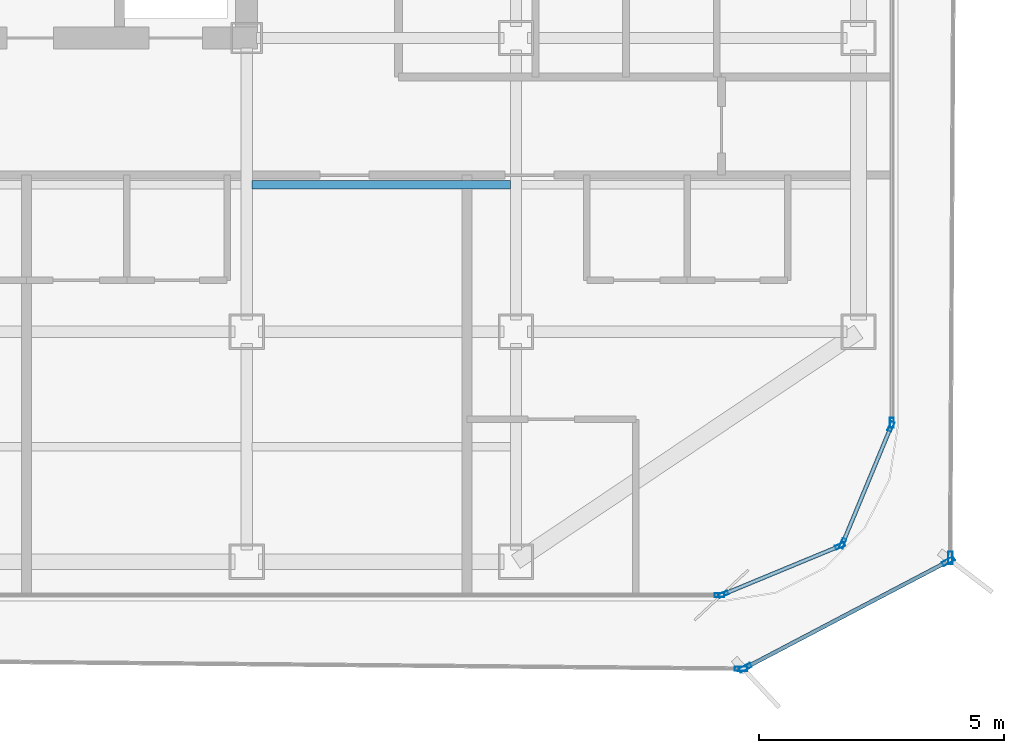
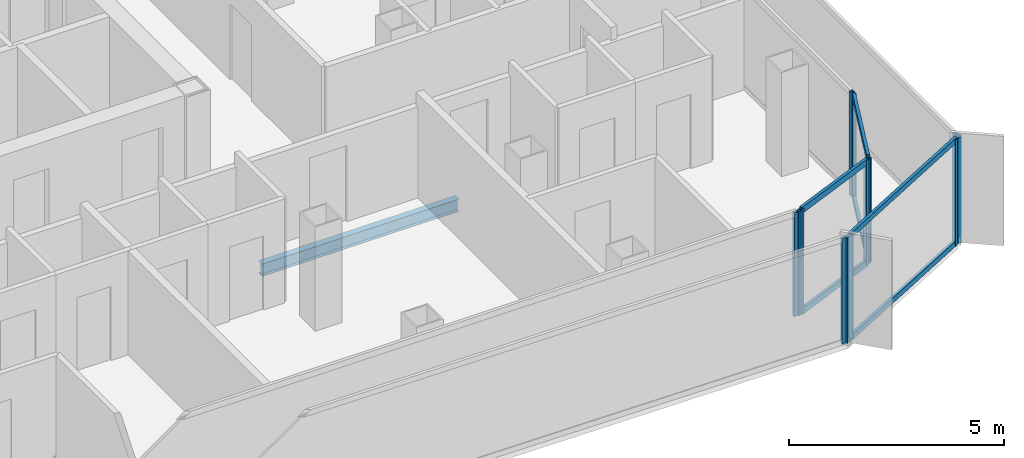
# One storey, part 4 of 16: 16 members, 1 beam, 7 elements without a shape of their own.
"""IFC4 building model written with IfcOpenShell, lengths in metres."""

from ifc_helpers import new_model, si_unit, direction, frame, origin, origin_2d, place, context, subcontext, project, spatial, hollow_rectangle, i_section, extrude, source, transform, mapped, material, layer, layer_set, material_profile, profile_set, type_object, element, aggregate, save


model = new_model("IFC4")

# Units and contexts
model_context = context("Model", 3, precision=1e-05, world=origin(), true_north=direction((0.0, 1.0)))
body_context = subcontext(model_context, "Body", "Model", "MODEL_VIEW")
ifc_project = project(units=[si_unit("LENGTHUNIT", "METRE"), si_unit("AREAUNIT", "SQUARE_METRE"), si_unit("VOLUMEUNIT", "CUBIC_METRE"), si_unit("PLANEANGLEUNIT", "RADIAN"), si_unit("MASSUNIT", "GRAM", prefix="KILO")], contexts=[model_context])

# Site, building, storey
site_placement = place(None, origin())
site = spatial("IfcSite", under=ifc_project, at=site_placement, CompositionType="ELEMENT")
building_placement = place(site_placement, origin())
building = spatial("IfcBuilding", under=site, at=building_placement, Name="Kolveth Station Tower", CompositionType="ELEMENT")
storey_placement = place(building_placement, frame((0.0, 0.0, 178.5)))
storey = spatial("IfcBuildingStorey", under=building, at=storey_placement, Name="L50", CompositionType="ELEMENT", Elevation=178.5)

# Beam
ifc_material_1 = material(Name="Steel S355", Category="steel")
ifc_material_profile_1 = material_profile(ifc_material_1, i_section(OverallWidth=0.1708984375, OverallDepth=0.35205078125, WebThickness=0.0068359375, FlangeThickness=0.009765625, at=origin_2d()), Name="W360x44")
ifc_profile_set_1 = profile_set([ifc_material_profile_1], Name="Steel S355")
beam_type = type_object("IfcBeamType", Name="Beam_J2", PredefinedType="JOIST", material=ifc_profile_set_1)
shared_shape_1 = source(origin(), body_context, "Body", "SweptSolid", [
    extrude(i_section(OverallWidth=0.1708984375, OverallDepth=0.35205078125, WebThickness=0.0068359375, FlangeThickness=0.009765625, at=origin_2d()), origin(), (0.0, 0.0, 1.0), 5.27490234375),
])
beam_placement = place(storey_placement, frame((28.612548828125, 8.5, -0.426025390625), z_axis=(1.0, 0.0, 0.0), x_axis=(0.0, 1.0, 0.0)))
element("IfcBeam", 1, at=beam_placement, inside=storey, type_object=beam_type, Name="L50 Secondary Joist JST-L50-5-2", PredefinedType="JOIST", context=body_context, shape_type="MappedRepresentation", body=[
    mapped(shared_shape_1, transform((0.0, 0.0, 0.0), x_axis=(1.0, 0.0, 0.0), y_axis=(0.0, 1.0, 0.0), z_axis=(0.0, 0.0, 1.0), scale=1.0)),
])

# Curtain wall, members
ifc_material_2 = material(Name="Aluminium 6063-T6 and low-E dark glass", Category="aluminium")
ifc_layer_1 = layer(ifc_material_2, 0.18994140625)
ifc_layer_set_1 = layer_set([ifc_layer_1], Name="Aluminium 6063-T6 and low-E dark glass")
curtain_wall_type_1 = type_object("IfcCurtainWallType", Name="CurtainWall_CW-Z2", PredefinedType="NOTDEFINED", material=ifc_layer_set_1)
curtain_wall_1_placement = place(storey_placement, origin())
curtain_wall_1 = element("IfcCurtainWall", 2, at=curtain_wall_1_placement, inside=storey, type_object=curtain_wall_type_1, Name="L50 Inner Thermal Curtain Wall 1", PredefinedType="NOTDEFINED")
ifc_material_3 = material(Name="Black anodized aluminium 6063-T6", Category="aluminium")
ifc_material_profile_2 = material_profile(ifc_material_3, hollow_rectangle(XDim=0.080078125, YDim=0.199951171875, WallThickness=0.0048828125, at=origin_2d()), Name="ALU-80x200x5")
ifc_profile_set_2 = profile_set([ifc_material_profile_2], Name="Black anodized aluminium 6063-T6")
member_type_1 = type_object("IfcMemberType", Name="Mullion_ML2", PredefinedType="MULLION", material=ifc_profile_set_2)
shared_shape_2 = source(origin(), body_context, "Body", "SweptSolid", [
    extrude(hollow_rectangle(XDim=0.080078125, YDim=0.199951171875, WallThickness=0.0048828125, at=origin_2d()), origin(), (0.0, 0.0, 1.0), 2.949951171875),
])
member_1_placement = place(storey_placement, frame((38.237060546875, 0.13525390625, 0.0), z_axis=(0.0, 0.0, 1.0), x_axis=(-0.382697753087, 0.923873600544, 0.0)))
member_1 = element("IfcMember", 3, at=member_1_placement, type_object=member_type_1, Name="CW-Z2 mullion 1", PredefinedType="MULLION", context=body_context, shape_type="MappedRepresentation", body=[
    mapped(shared_shape_2, transform((0.0, 0.0, 0.0), x_axis=(1.0, 0.0, 0.0), y_axis=(0.0, 1.0, 0.0), z_axis=(0.0, 0.0, 1.0), scale=1.0)),
])
member_2_placement = place(storey_placement, frame((40.623779296875, 1.1240234375, 0.0), z_axis=(0.0, 0.0, 1.0), x_axis=(-0.382697753087, 0.923873600544, 0.0)))
member_2 = element("IfcMember", 4, at=member_2_placement, type_object=member_type_1, Name="CW-Z2 mullion 2", PredefinedType="MULLION", context=body_context, shape_type="MappedRepresentation", body=[
    mapped(shared_shape_2, transform((0.0, 0.0, 0.0), x_axis=(1.0, 0.0, 0.0), y_axis=(0.0, 1.0, 0.0), z_axis=(0.0, 0.0, 1.0), scale=1.0)),
])

curtain_wall_2_placement = place(storey_placement, origin())
curtain_wall_2 = element("IfcCurtainWall", 5, at=curtain_wall_2_placement, inside=storey, type_object=curtain_wall_type_1, Name="L50 Inner Thermal Curtain Wall 2", PredefinedType="NOTDEFINED")
member_3_placement = place(storey_placement, frame((40.676025390625, 1.17626953125, 0.0), z_axis=(0.0, 0.0, 1.0), x_axis=(-0.923873600544, 0.382697753087, 0.0)))
member_3 = element("IfcMember", 6, at=member_3_placement, type_object=member_type_1, Name="CW-Z2 mullion 1", PredefinedType="MULLION", context=body_context, shape_type="MappedRepresentation", body=[
    mapped(shared_shape_2, transform((0.0, 0.0, 0.0), x_axis=(1.0, 0.0, 0.0), y_axis=(0.0, 1.0, 0.0), z_axis=(0.0, 0.0, 1.0), scale=1.0)),
])
member_4_placement = place(storey_placement, frame((41.664794921875, 3.56298828125, 0.0), z_axis=(0.0, 0.0, 1.0), x_axis=(-0.923873600544, 0.382697753087, 0.0)))
member_4 = element("IfcMember", 7, at=member_4_placement, type_object=member_type_1, Name="CW-Z2 mullion 2", PredefinedType="MULLION", context=body_context, shape_type="MappedRepresentation", body=[
    mapped(shared_shape_2, transform((0.0, 0.0, 0.0), x_axis=(1.0, 0.0, 0.0), y_axis=(0.0, 1.0, 0.0), z_axis=(0.0, 0.0, 1.0), scale=1.0)),
])

# Curtain wall, member
curtain_wall_3_placement = place(storey_placement, origin())
curtain_wall_3 = element("IfcCurtainWall", 8, at=curtain_wall_3_placement, inside=storey, type_object=curtain_wall_type_1, Name="L50 Inner Thermal Curtain Wall 3", PredefinedType="NOTDEFINED")
member_5_placement = place(storey_placement, frame((41.679931640625, 3.639892578125, 0.0), z_axis=(0.0, 0.0, 1.0), x_axis=(-1.0, 0.0, 0.0)))
member_5 = element("IfcMember", 9, at=member_5_placement, type_object=member_type_1, Name="CW-Z2 mullion 1", PredefinedType="MULLION", context=body_context, shape_type="MappedRepresentation", body=[
    mapped(shared_shape_2, transform((0.0, 0.0, 0.0), x_axis=(1.0, 0.0, 0.0), y_axis=(0.0, 1.0, 0.0), z_axis=(0.0, 0.0, 1.0), scale=1.0)),
])
aggregate(curtain_wall_3, [member_5])

curtain_wall_4_placement = place(storey_placement, origin())
curtain_wall_4 = element("IfcCurtainWall", 10, at=curtain_wall_4_placement, inside=storey, type_object=curtain_wall_type_1, Name="L50 Inner Thermal Curtain Wall 12", PredefinedType="NOTDEFINED")
member_6_placement = place(storey_placement, frame((38.159912109375, 0.1201171875, 0.0), z_axis=(0.0, 0.0, 1.0), x_axis=(0.0, 1.0, 0.0)))
member_6 = element("IfcMember", 11, at=member_6_placement, type_object=member_type_1, Name="CW-Z2 mullion 2", PredefinedType="MULLION", context=body_context, shape_type="MappedRepresentation", body=[
    mapped(shared_shape_2, transform((0.0, 0.0, 0.0), x_axis=(1.0, 0.0, 0.0), y_axis=(0.0, 1.0, 0.0), z_axis=(0.0, 0.0, 1.0), scale=1.0)),
])
aggregate(curtain_wall_4, [member_6])

# Curtain wall, members
ifc_material_4 = material(Name="Black anodized aluminium 6063-T6 and dark solar glass", Category="aluminium")
ifc_layer_2 = layer(ifc_material_4, 0.159912109375)
ifc_layer_set_2 = layer_set([ifc_layer_2], Name="Black anodized aluminium 6063-T6 and dark solar glass")
curtain_wall_type_2 = type_object("IfcCurtainWallType", Name="OUTER SKIN CW-OS", PredefinedType="NOTDEFINED", material=ifc_layer_set_2)
curtain_wall_5_placement = place(storey_placement, origin())
curtain_wall_5 = element("IfcCurtainWall", 12, at=curtain_wall_5_placement, inside=storey, type_object=curtain_wall_type_2, Name="L50 Outer Ventilated Skin Curtain Wall 1", PredefinedType="NOTDEFINED")
ifc_material_profile_3 = material_profile(ifc_material_3, hollow_rectangle(XDim=0.090087890625, YDim=0.260009765625, WallThickness=0.0048828125, at=origin_2d()), Name="ALU-90x260x5")
ifc_profile_set_3 = profile_set([ifc_material_profile_3], Name="Black anodized aluminium 6063-T6")
member_type_2 = type_object("IfcMemberType", Name="FIN MULLION ML-OS", PredefinedType="MULLION", material=ifc_profile_set_3)
shared_shape_3 = source(origin(), body_context, "Body", "SweptSolid", [
    extrude(hollow_rectangle(XDim=0.090087890625, YDim=0.260009765625, WallThickness=0.0048828125, at=origin_2d()), origin(), (0.0, 0.0, 1.0), 2.989990234375),
])
member_7_placement = place(storey_placement, frame((38.68603515625, -1.366455078125, 0.0), z_axis=(0.0, 0.0, 1.0), x_axis=(-0.464968873353, 0.885327028172, 0.0)))
member_7 = element("IfcMember", 13, at=member_7_placement, type_object=member_type_2, Name="CW-OS mullion 1", PredefinedType="MULLION", context=body_context, shape_type="MappedRepresentation", body=[
    mapped(shared_shape_3, transform((0.0, 0.0, 0.0), x_axis=(1.0, 0.0, 0.0), y_axis=(0.0, 1.0, 0.0), z_axis=(0.0, 0.0, 1.0), scale=1.0)),
])
member_8_placement = place(storey_placement, frame((42.83544921875, 0.812744140625, 0.0), z_axis=(0.0, 0.0, 1.0), x_axis=(-0.464968873353, 0.885327028172, 0.0)))
member_8 = element("IfcMember", 14, at=member_8_placement, type_object=member_type_2, Name="CW-OS mullion 2", PredefinedType="MULLION", context=body_context, shape_type="MappedRepresentation", body=[
    mapped(shared_shape_3, transform((0.0, 0.0, 0.0), x_axis=(1.0, 0.0, 0.0), y_axis=(0.0, 1.0, 0.0), z_axis=(0.0, 0.0, 1.0), scale=1.0)),
])

# Curtain wall, member
curtain_wall_6_placement = place(storey_placement, origin())
curtain_wall_6 = element("IfcCurtainWall", 15, at=curtain_wall_6_placement, inside=storey, type_object=curtain_wall_type_2, Name="L50 Outer Ventilated Skin Curtain Wall 2", PredefinedType="NOTDEFINED")
member_9_placement = place(storey_placement, frame((42.87548828125, 0.878662109375, 0.0), z_axis=(0.0, 0.0, 1.0), x_axis=(-0.999985145982, 0.005450487634, 0.0)))
member_9 = element("IfcMember", 16, at=member_9_placement, type_object=member_type_2, Name="CW-OS mullion 1", PredefinedType="MULLION", context=body_context, shape_type="MappedRepresentation", body=[
    mapped(shared_shape_3, transform((0.0, 0.0, 0.0), x_axis=(1.0, 0.0, 0.0), y_axis=(0.0, 1.0, 0.0), z_axis=(0.0, 0.0, 1.0), scale=1.0)),
])
aggregate(curtain_wall_6, [member_9])

curtain_wall_7_placement = place(storey_placement, origin())
curtain_wall_7 = element("IfcCurtainWall", 17, at=curtain_wall_7_placement, inside=storey, type_object=curtain_wall_type_2, Name="L50 Outer Ventilated Skin Curtain Wall 8", PredefinedType="NOTDEFINED")
member_10_placement = place(storey_placement, frame((38.60107421875, -1.38720703125, 0.0), z_axis=(0.0, 0.0, 1.0), x_axis=(0.009203011757, 0.999957651391, 0.0)))
member_10 = element("IfcMember", 18, at=member_10_placement, type_object=member_type_2, Name="CW-OS mullion 2", PredefinedType="MULLION", context=body_context, shape_type="MappedRepresentation", body=[
    mapped(shared_shape_3, transform((0.0, 0.0, 0.0), x_axis=(1.0, 0.0, 0.0), y_axis=(0.0, 1.0, 0.0), z_axis=(0.0, 0.0, 1.0), scale=1.0)),
])
aggregate(curtain_wall_7, [member_10])

# Member
ifc_material_profile_4 = material_profile(ifc_material_3, hollow_rectangle(XDim=0.080078125, YDim=0.169921875, WallThickness=0.0048828125, at=origin_2d()), Name="ALU-80x170x5")
ifc_profile_set_4 = profile_set([ifc_material_profile_4], Name="Black anodized aluminium 6063-T6")
member_type_3 = type_object("IfcMemberType", Name="Transom_TR2", PredefinedType="USERDEFINED", material=ifc_profile_set_4)
shared_shape_4 = source(origin(), body_context, "Body", "SweptSolid", [
    extrude(hollow_rectangle(XDim=0.080078125, YDim=0.169921875, WallThickness=0.0048828125, at=origin_2d()), origin(), (0.0, 0.0, 1.0), 2.50341796875),
])
member_11_placement = place(storey_placement, frame((38.27392578125, 0.150634765625, 0.0400390625), z_axis=(0.923874190494, 0.382696328882, 0.0), x_axis=(-0.382696328882, 0.923874190494, 0.0)))
member_11 = element("IfcMember", 19, at=member_11_placement, type_object=member_type_3, Name="CW-Z2 transom 1.1", ObjectType="TRANSOM", PredefinedType="USERDEFINED", context=body_context, shape_type="MappedRepresentation", body=[
    mapped(shared_shape_4, transform((0.0, 0.0, 0.0), x_axis=(1.0, 0.0, 0.0), y_axis=(0.0, 1.0, 0.0), z_axis=(0.0, 0.0, 1.0), scale=1.0)),
])

member_12_placement = place(storey_placement, frame((38.27392578125, 0.150634765625, 2.909912109375), z_axis=(0.923874190494, 0.382696328882, 0.0), x_axis=(-0.382696328882, 0.923874190494, 0.0)))
member_12 = element("IfcMember", 20, at=member_12_placement, type_object=member_type_3, Name="CW-Z2 transom 1.2", ObjectType="TRANSOM", PredefinedType="USERDEFINED", context=body_context, shape_type="MappedRepresentation", body=[
    mapped(shared_shape_4, transform((0.0, 0.0, 0.0), x_axis=(1.0, 0.0, 0.0), y_axis=(0.0, 1.0, 0.0), z_axis=(0.0, 0.0, 1.0), scale=1.0)),
])

aggregate(curtain_wall_1, [member_1, member_2, member_11, member_12])

member_13_placement = place(storey_placement, frame((40.69140625, 1.213134765625, 0.0400390625), z_axis=(0.382661849723, 0.923888472039, 0.0), x_axis=(-0.923888472039, 0.382661849723, 0.0)))
member_13 = element("IfcMember", 21, at=member_13_placement, type_object=member_type_3, Name="CW-Z2 transom 1.1", ObjectType="TRANSOM", PredefinedType="USERDEFINED", context=body_context, shape_type="MappedRepresentation", body=[
    mapped(shared_shape_4, transform((0.0, 0.0, 0.0), x_axis=(1.0, 0.0, 0.0), y_axis=(0.0, 1.0, 0.0), z_axis=(0.0, 0.0, 1.0), scale=1.0)),
])

member_14_placement = place(storey_placement, frame((40.69140625, 1.213134765625, 2.909912109375), z_axis=(0.382661849723, 0.923888472039, 0.0), x_axis=(-0.923888472039, 0.382661849723, 0.0)))
member_14 = element("IfcMember", 22, at=member_14_placement, type_object=member_type_3, Name="CW-Z2 transom 1.2", ObjectType="TRANSOM", PredefinedType="USERDEFINED", context=body_context, shape_type="MappedRepresentation", body=[
    mapped(shared_shape_4, transform((0.0, 0.0, 0.0), x_axis=(1.0, 0.0, 0.0), y_axis=(0.0, 1.0, 0.0), z_axis=(0.0, 0.0, 1.0), scale=1.0)),
])

aggregate(curtain_wall_2, [member_3, member_4, member_13, member_14])

ifc_material_profile_5 = material_profile(ifc_material_3, hollow_rectangle(XDim=0.080078125, YDim=0.14990234375, WallThickness=0.0048828125, at=origin_2d()), Name="ALU-80x150x5")
ifc_profile_set_5 = profile_set([ifc_material_profile_5], Name="Black anodized aluminium 6063-T6")
member_type_4 = type_object("IfcMemberType", Name="Transom_TR-OS", PredefinedType="USERDEFINED", material=ifc_profile_set_5)
shared_shape_5 = source(origin(), body_context, "Body", "SweptSolid", [
    extrude(hollow_rectangle(XDim=0.080078125, YDim=0.14990234375, WallThickness=0.0048828125, at=origin_2d()), origin(), (0.0, 0.0, 1.0), 4.5966796875),
])
member_15_placement = place(storey_placement, frame((38.725830078125, -1.345703125, 0.0400390625), z_axis=(0.885315372217, 0.464991066276, 0.0), x_axis=(-0.464991066276, 0.885315372217, 0.0)))
member_15 = element("IfcMember", 23, at=member_15_placement, type_object=member_type_4, Name="CW-OS transom 1.1", ObjectType="TRANSOM", PredefinedType="USERDEFINED", context=body_context, shape_type="MappedRepresentation", body=[
    mapped(shared_shape_5, transform((0.0, 0.0, 0.0), x_axis=(1.0, 0.0, 0.0), y_axis=(0.0, 1.0, 0.0), z_axis=(0.0, 0.0, 1.0), scale=1.0)),
])

member_16_placement = place(storey_placement, frame((38.725830078125, -1.345703125, 2.949951171875), z_axis=(0.885315372217, 0.464991066276, 0.0), x_axis=(-0.464991066276, 0.885315372217, 0.0)))
member_16 = element("IfcMember", 24, at=member_16_placement, type_object=member_type_4, Name="CW-OS transom 1.2", ObjectType="TRANSOM", PredefinedType="USERDEFINED", context=body_context, shape_type="MappedRepresentation", body=[
    mapped(shared_shape_5, transform((0.0, 0.0, 0.0), x_axis=(1.0, 0.0, 0.0), y_axis=(0.0, 1.0, 0.0), z_axis=(0.0, 0.0, 1.0), scale=1.0)),
])

aggregate(curtain_wall_5, [member_7, member_8, member_15, member_16])

save(model, "model.ifc")
